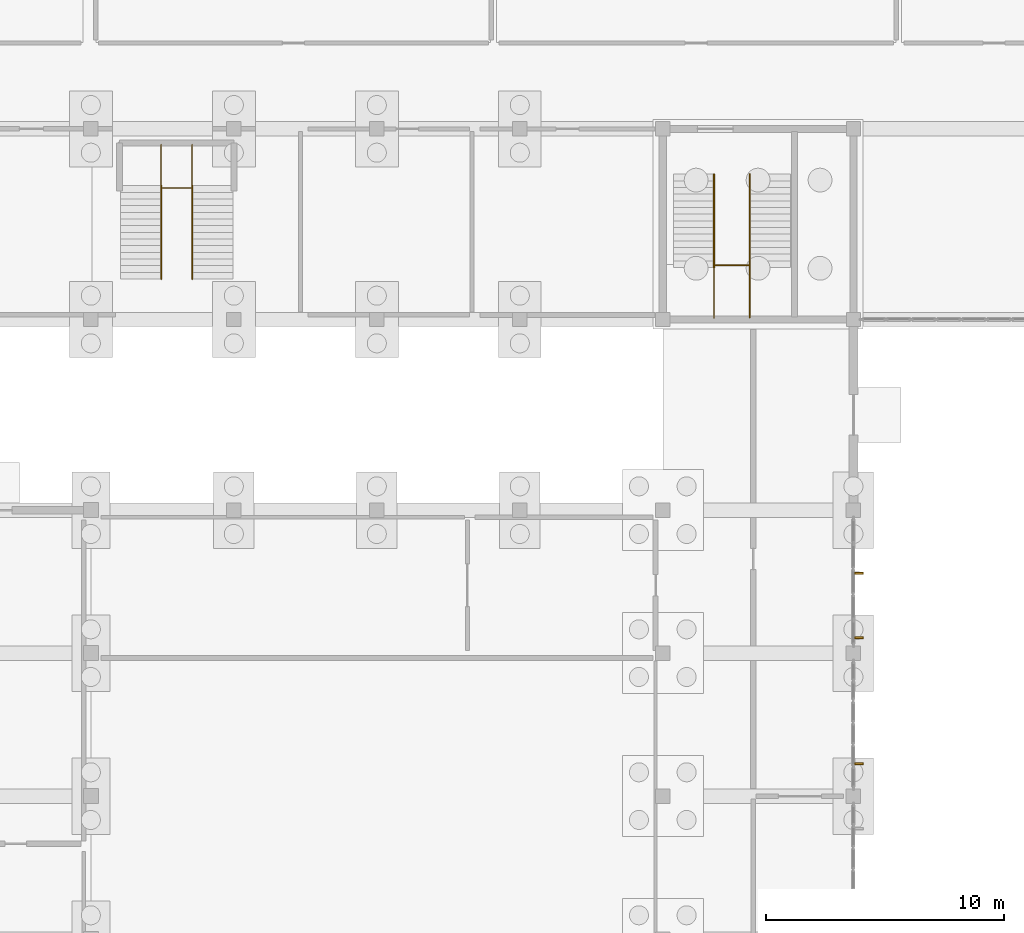
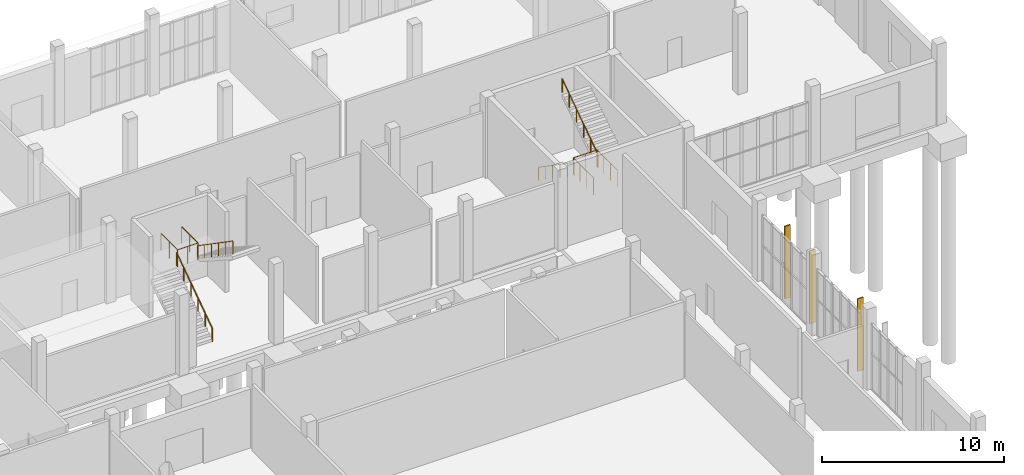
# One storey, part 66 of 69: 6 railings, 3 shading devices.
"""IFC4 building model written with IfcOpenShell, lengths in metres."""

from ifc_helpers import new_model, si_unit, direction, frame, origin, origin_2d, place, context, subcontext, project, spatial, rectangle, circle, extrude, material, type_object, element, save


model = new_model("IFC4")

# Units and contexts
model_context = context("Model", 3, precision=1e-05, world=origin(), true_north=direction((0.0, 1.0)))
body_context = subcontext(model_context, "Body", "Model", "MODEL_VIEW")
ifc_project = project(units=[si_unit("LENGTHUNIT", "METRE"), si_unit("AREAUNIT", "SQUARE_METRE"), si_unit("VOLUMEUNIT", "CUBIC_METRE"), si_unit("PLANEANGLEUNIT", "RADIAN"), si_unit("MASSUNIT", "GRAM", prefix="KILO")], contexts=[model_context])

# Site, building, storey
site_placement = place(None, origin())
site = spatial("IfcSite", under=ifc_project, at=site_placement, CompositionType="ELEMENT")
building_placement = place(site_placement, origin())
building = spatial("IfcBuilding", under=site, at=building_placement, Name="Solvane Community Centre", CompositionType="ELEMENT")
storey_placement = place(building_placement, origin())
storey = spatial("IfcBuildingStorey", under=building, at=storey_placement, Name="L00", CompositionType="ELEMENT", Elevation=0.0)

# Shading devices
ifc_material = material(Name="Anodised bronze aluminium AW-6063 T6", Category="aluminium")
shading_device_type = type_object("IfcShadingDeviceType", Name="Art Deco Bronze Solar Fin 80x360", PredefinedType="USERDEFINED", material=ifc_material)
shading_device_1_placement = place(storey_placement, frame((68.239990234375, 75.360107421875, 0.14990234375), z_axis=(0.0, 0.0, 1.0), x_axis=(0.0, -1.0, 0.0)))
element("IfcShadingDevice", 1, at=shading_device_1_placement, inside=storey, type_object=shading_device_type, Name="Solar Brise-Soleil Fin 13", ObjectType="Solar Brise-Soleil Fin 13", PredefinedType="USERDEFINED", context=body_context, shape_type="SweptSolid", body=[
    extrude(rectangle(XDim=0.080078125, YDim=0.360107421875, at=origin_2d()), origin(), (0.0, 0.0, 1.0), 4.860107421875),
])
shading_device_2_placement = place(storey_placement, frame((68.239990234375, 72.639892578125, 0.14990234375), z_axis=(0.0, 0.0, 1.0), x_axis=(0.0, -1.0, 0.0)))
element("IfcShadingDevice", 2, at=shading_device_2_placement, inside=storey, type_object=shading_device_type, Name="Solar Brise-Soleil Fin 14", ObjectType="Solar Brise-Soleil Fin 14", PredefinedType="USERDEFINED", context=body_context, shape_type="SweptSolid", body=[
    extrude(rectangle(XDim=0.080078125, YDim=0.360107421875, at=origin_2d()), origin(), (0.0, 0.0, 1.0), 4.860107421875),
])
shading_device_3_placement = place(storey_placement, frame((68.239990234375, 67.360107421875, 0.14990234375), z_axis=(0.0, 0.0, 1.0), x_axis=(0.0, -1.0, 0.0)))
element("IfcShadingDevice", 3, at=shading_device_3_placement, inside=storey, type_object=shading_device_type, Name="Solar Brise-Soleil Fin 15", ObjectType="Solar Brise-Soleil Fin 15", PredefinedType="USERDEFINED", context=body_context, shape_type="SweptSolid", body=[
    extrude(rectangle(XDim=0.080078125, YDim=0.360107421875, at=origin_2d()), origin(), (0.0, 0.0, 1.0), 4.860107421875),
])

# Railings
railing_type_1 = type_object("IfcRailingType", Name="Interior Gallery & Stair Well Guard 1150mm", PredefinedType="BALUSTRADE", material=ifc_material)
railing_1_placement = place(storey_placement, frame((62.14990234375, 86.06005859375, 2.699951171875)))
element("IfcRailing", 4, at=railing_1_placement, inside=storey, type_object=railing_type_1, Name="Railing GR-L00-097", PredefinedType="BALUSTRADE", context=body_context, shape_type="SweptSolid", body=[
    extrude(circle(Radius=0.02392578125, at=origin_2d()), frame((0.0, 0.0, 1.1259765625), z_axis=(0.0, 1.0, 0.0), x_axis=(-1.0, 0.0, 0.0)), (0.0, 0.0, 1.0), 2.219970703125),
    extrude(circle(Radius=0.02392578125, at=origin_2d()), frame((0.0, 2.219970703125, 1.1259765625), z_axis=(1.0, 0.0, 0.0), x_axis=(0.0, 1.0, 0.0)), (0.0, 0.0, 1.0), 1.5),
    extrude(circle(Radius=0.02392578125, at=origin_2d()), frame((1.5, 2.219970703125, 1.1259765625), z_axis=(0.0, -1.0, 0.0), x_axis=(1.0, 0.0, 0.0)), (0.0, 0.0, 1.0), 2.219970703125),
    extrude(circle(Radius=0.02099609375, at=origin_2d()), origin(), (0.0, 0.0, 1.0), 1.101806640625),
    extrude(circle(Radius=0.02099609375, at=origin_2d()), frame((0.0, 0.739990234375, 0.0)), (0.0, 0.0, 1.0), 1.101806640625),
    extrude(circle(Radius=0.02099609375, at=origin_2d()), frame((0.0, 1.47998046875, 0.0)), (0.0, 0.0, 1.0), 1.101806640625),
    extrude(circle(Radius=0.02099609375, at=origin_2d()), frame((0.0, 2.219970703125, 0.0)), (0.0, 0.0, 1.0), 1.101806640625),
    extrude(circle(Radius=0.02099609375, at=origin_2d()), frame((0.75, 2.219970703125, 0.0)), (0.0, 0.0, 1.0), 1.101806640625),
    extrude(circle(Radius=0.02099609375, at=origin_2d()), frame((1.5, 2.219970703125, 0.0)), (0.0, 0.0, 1.0), 1.101806640625),
    extrude(circle(Radius=0.02099609375, at=origin_2d()), frame((1.5, 1.47998046875, 0.0)), (0.0, 0.0, 1.0), 1.101806640625),
    extrude(circle(Radius=0.02099609375, at=origin_2d()), frame((1.5, 0.739990234375, 0.0)), (0.0, 0.0, 1.0), 1.101806640625),
    extrude(circle(Radius=0.02099609375, at=origin_2d()), frame((1.5, 0.0, 0.0)), (0.0, 0.0, 1.0), 1.101806640625),
])
railing_2_placement = place(storey_placement, frame((38.949951171875, 93.340087890625, 2.699951171875)))
element("IfcRailing", 5, at=railing_2_placement, inside=storey, type_object=railing_type_1, Name="Railing GR-L00-128", PredefinedType="BALUSTRADE", context=body_context, shape_type="SweptSolid", body=[
    extrude(circle(Radius=0.02392578125, at=origin_2d()), frame((0.0, 0.0, 1.1259765625), z_axis=(0.0, -1.0, 0.0), x_axis=(1.0, 0.0, 0.0)), (0.0, 0.0, 1.0), 1.820068359375),
    extrude(circle(Radius=0.02392578125, at=origin_2d()), frame((0.0, -1.820068359375, 1.1259765625), z_axis=(1.0, 0.0, 0.0), x_axis=(0.0, 1.0, 0.0)), (0.0, 0.0, 1.0), 1.300048828125),
    extrude(circle(Radius=0.02392578125, at=origin_2d()), frame((1.300048828125, -1.820068359375, 1.1259765625), z_axis=(0.0, 1.0, 0.0), x_axis=(-1.0, 0.0, 0.0)), (0.0, 0.0, 1.0), 1.820068359375),
    extrude(circle(Radius=0.02099609375, at=origin_2d()), origin(), (0.0, 0.0, 1.0), 1.101806640625),
    extrude(circle(Radius=0.02099609375, at=origin_2d()), frame((0.0, -0.91015625, 0.0)), (0.0, 0.0, 1.0), 1.101806640625),
    extrude(circle(Radius=0.02099609375, at=origin_2d()), frame((0.0, -1.820068359375, 0.0)), (0.0, 0.0, 1.0), 1.101806640625),
    extrude(circle(Radius=0.02099609375, at=origin_2d()), frame((0.64990234375, -1.820068359375, 0.0)), (0.0, 0.0, 1.0), 1.101806640625),
    extrude(circle(Radius=0.02099609375, at=origin_2d()), frame((1.300048828125, -1.820068359375, 0.0)), (0.0, 0.0, 1.0), 1.101806640625),
    extrude(circle(Radius=0.02099609375, at=origin_2d()), frame((1.300048828125, -0.91015625, 0.0)), (0.0, 0.0, 1.0), 1.101806640625),
    extrude(circle(Radius=0.02099609375, at=origin_2d()), frame((1.300048828125, 0.0, 0.0)), (0.0, 0.0, 1.0), 1.101806640625),
])
railing_type_2 = type_object("IfcRailingType", Name="Stair Pitch Handrail 900mm", PredefinedType="HANDRAIL", material=ifc_material)
railing_3_placement = place(storey_placement, frame((62.14990234375, 92.10009765625, 0.0)))
element("IfcRailing", 6, at=railing_3_placement, inside=storey, type_object=railing_type_2, Name="Railing HR-L00-095", PredefinedType="HANDRAIL", context=body_context, shape_type="SweptSolid", body=[
    extrude(circle(Radius=0.02392578125, at=origin_2d()), frame((0.0, 0.0, 0.8759765625), z_axis=(0.0, -0.823567234665, 0.567218661528), x_axis=(1.0, 0.0, 0.0)), (0.0, 0.0, 1.0), 4.760009765625),
    extrude(circle(Radius=0.02099609375, at=origin_2d()), origin(), (0.0, 0.0, 1.0), 0.851806640625),
    extrude(circle(Radius=0.02099609375, at=origin_2d()), frame((0.0, -0.783935546875, 0.5400390625)), (0.0, 0.0, 1.0), 0.851806640625),
    extrude(circle(Radius=0.02099609375, at=origin_2d()), frame((0.0, -1.568115234375, 1.080078125)), (0.0, 0.0, 1.0), 0.851806640625),
    extrude(circle(Radius=0.02099609375, at=origin_2d()), frame((0.0, -2.35205078125, 1.619873046875)), (0.0, 0.0, 1.0), 0.851806640625),
    extrude(circle(Radius=0.02099609375, at=origin_2d()), frame((0.0, -3.13623046875, 2.159912109375)), (0.0, 0.0, 1.0), 0.851806640625),
    extrude(circle(Radius=0.02099609375, at=origin_2d()), frame((0.0, -3.920166015625, 2.699951171875)), (0.0, 0.0, 1.0), 0.851806640625),
])
for number, where, name in (
    (7, (63.64990234375, 88.179931640625, 2.699951171875), "Railing HR-L00-096"),
    (8, (38.949951171875, 87.699951171875, 0.0), "Railing HR-L00-126"),
):
    element("IfcRailing", number, at=place(storey_placement, frame(where)), inside=storey, type_object=railing_type_2, Name=name, PredefinedType="HANDRAIL", context=body_context, shape_type="SweptSolid", body=[
        extrude(circle(Radius=0.02392578125, at=origin_2d()), frame((0.0, 0.0, 0.8759765625), z_axis=(0.0, 0.823567234665, 0.567218661528), x_axis=(-1.0, 0.0, 0.0)), (0.0, 0.0, 1.0), 4.760009765625),
        extrude(circle(Radius=0.02099609375, at=origin_2d()), origin(), (0.0, 0.0, 1.0), 0.851806640625),
        extrude(circle(Radius=0.02099609375, at=origin_2d()), frame((0.0, 0.783935546875, 0.5400390625)), (0.0, 0.0, 1.0), 0.851806640625),
        extrude(circle(Radius=0.02099609375, at=origin_2d()), frame((0.0, 1.568115234375, 1.080078125)), (0.0, 0.0, 1.0), 0.851806640625),
        extrude(circle(Radius=0.02099609375, at=origin_2d()), frame((0.0, 2.35205078125, 1.619873046875)), (0.0, 0.0, 1.0), 0.851806640625),
        extrude(circle(Radius=0.02099609375, at=origin_2d()), frame((0.0, 3.13623046875, 2.159912109375)), (0.0, 0.0, 1.0), 0.851806640625),
        extrude(circle(Radius=0.02099609375, at=origin_2d()), frame((0.0, 3.920166015625, 2.699951171875)), (0.0, 0.0, 1.0), 0.851806640625),
    ])
railing_4_placement = place(storey_placement, frame((40.25, 91.6201171875, 2.699951171875)))
element("IfcRailing", 9, at=railing_4_placement, inside=storey, type_object=railing_type_2, Name="Railing HR-L00-127", PredefinedType="HANDRAIL", context=body_context, shape_type="SweptSolid", body=[
    extrude(circle(Radius=0.02392578125, at=origin_2d()), frame((0.0, 0.0, 0.8759765625), z_axis=(0.0, -0.823567234665, 0.567218661528), x_axis=(1.0, 0.0, 0.0)), (0.0, 0.0, 1.0), 4.760009765625),
    extrude(circle(Radius=0.02099609375, at=origin_2d()), origin(), (0.0, 0.0, 1.0), 0.851806640625),
    extrude(circle(Radius=0.02099609375, at=origin_2d()), frame((0.0, -0.783935546875, 0.5400390625)), (0.0, 0.0, 1.0), 0.851806640625),
    extrude(circle(Radius=0.02099609375, at=origin_2d()), frame((0.0, -1.568115234375, 1.080078125)), (0.0, 0.0, 1.0), 0.851806640625),
    extrude(circle(Radius=0.02099609375, at=origin_2d()), frame((0.0, -2.35205078125, 1.619873046875)), (0.0, 0.0, 1.0), 0.851806640625),
    extrude(circle(Radius=0.02099609375, at=origin_2d()), frame((0.0, -3.13623046875, 2.159912109375)), (0.0, 0.0, 1.0), 0.851806640625),
    extrude(circle(Radius=0.02099609375, at=origin_2d()), frame((0.0, -3.920166015625, 2.699951171875)), (0.0, 0.0, 1.0), 0.851806640625),
])

save(model, "model.ifc")
